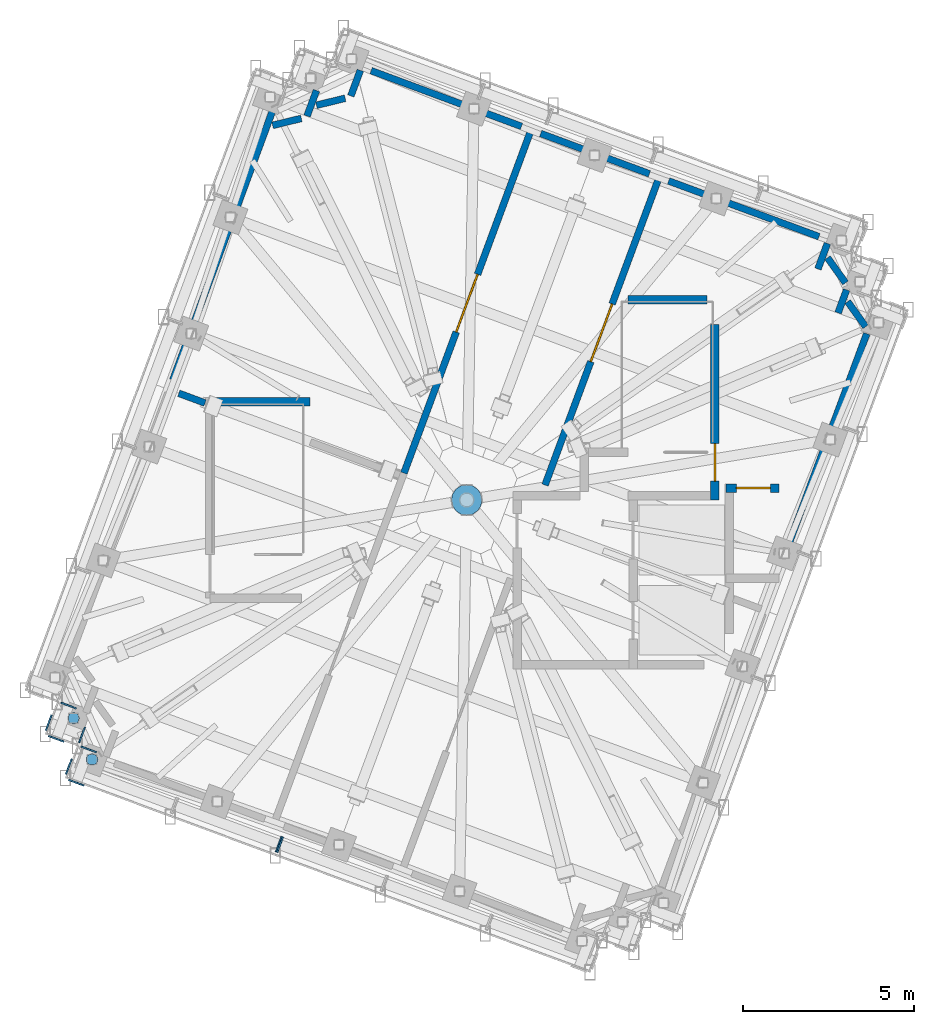
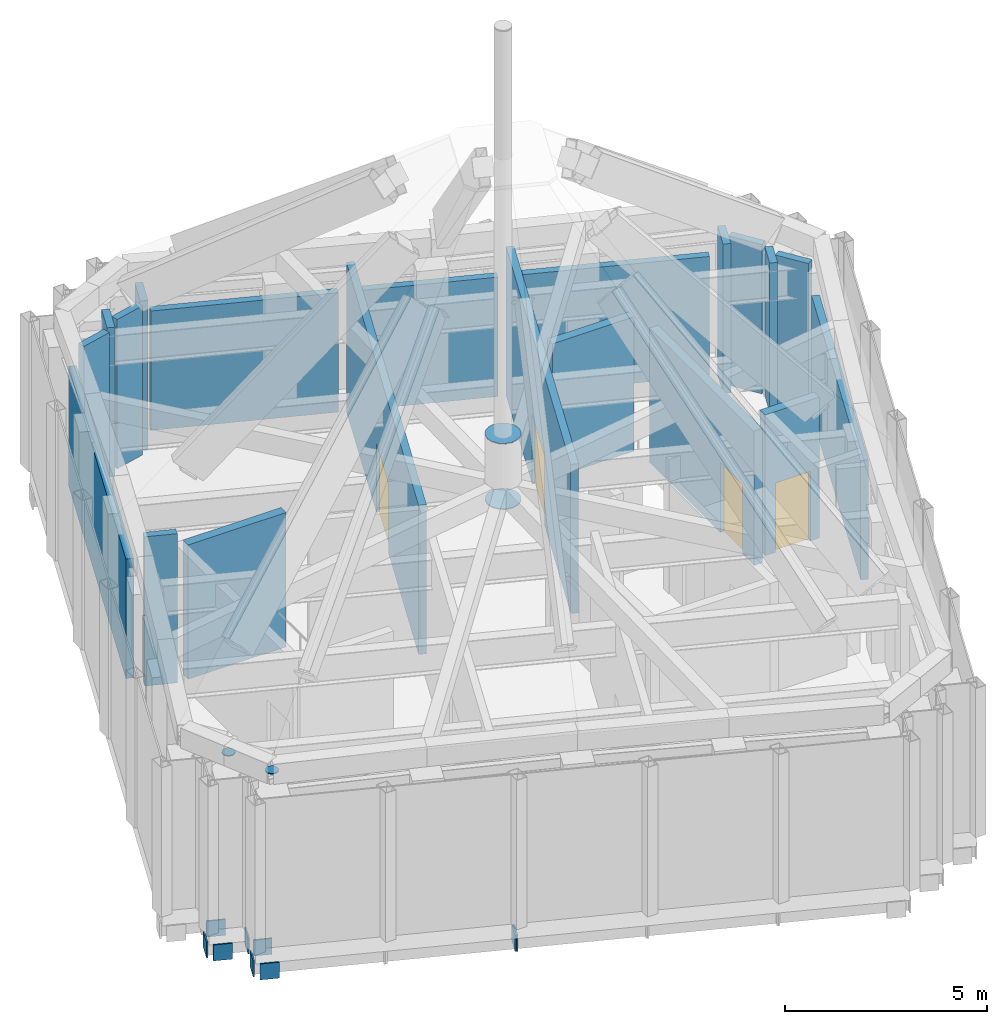
# One storey, part 7 of 14: 20 walls, 13 discrete accessories, 4 doors, 4 openings, 6 elements without a shape of their own.
"""IFC4 building model written with IfcOpenShell, lengths in metres."""

from ifc_helpers import new_model, si_unit, direction, frame, frame_2d, origin, place, context, subcontext, project, spatial, polyline, rectangle, outline, extrude, material, layer, layer_set, type_object, element, fill, aggregate, save


model = new_model("IFC4")

# Units and contexts
model_context = context("Model", 3, precision=1e-05, world=origin(), true_north=direction((0.0, 1.0)))
body_context = subcontext(model_context, "Body", "Model", "MODEL_VIEW")
ifc_project = project(units=[si_unit("LENGTHUNIT", "METRE"), si_unit("AREAUNIT", "SQUARE_METRE"), si_unit("VOLUMEUNIT", "CUBIC_METRE"), si_unit("PLANEANGLEUNIT", "RADIAN"), si_unit("MASSUNIT", "GRAM", prefix="KILO")], contexts=[model_context])

# Site, building, storey
site_placement = place(None, origin())
site = spatial("IfcSite", under=ifc_project, at=site_placement, CompositionType="ELEMENT")
building_placement = place(site_placement, origin())
building = spatial("IfcBuilding", under=site, at=building_placement, Name="Cantera Rosa Tower", CompositionType="ELEMENT")
storey_placement = place(building_placement, frame((0.0, 0.0, 374.199951171875)))
storey = spatial("IfcBuildingStorey", under=building, at=storey_placement, Name="L84", CompositionType="ELEMENT", Elevation=374.199951171875)

# Wall, opening, door
ifc_material_1 = material(Name="Masonry blockwork", Category="masonry")
ifc_layer_1 = layer(ifc_material_1, 0.199951171875)
ifc_layer_set_1 = layer_set([ifc_layer_1], Name="Blockwork partition 200")
wall_type_1 = type_object("IfcWallType", Name="Blockwork partition 200", PredefinedType="PARTITIONING", material=ifc_layer_set_1)
wall_1_placement = place(storey_placement, frame((2.295166015625, 0.4375, 0.0), z_axis=(0.0, 0.0, 1.0), x_axis=(0.347460560495, 0.937694597884, 0.0)))
wall_1 = element("IfcWall", 1, at=wall_1_placement, inside=storey, type_object=wall_type_1, Name="Partition L84-2", PredefinedType="PARTITIONING", context=body_context, shape_type="SweptSolid", body=[
    extrude(rectangle(XDim=9.517333984375, YDim=0.199951171875, at=frame_2d((4.7587890625, 0.0))), origin(), (0.0, 0.0, 1.0), 4.5),
])
opening_1_placement = place(wall_1_placement, frame((3.858642578125, 0.0, 0.0)))
opening_1 = element("IfcOpeningElement", 2, at=opening_1_placement, cuts=wall_1, Name="Opening L84-004", PredefinedType="OPENING", context=body_context, shape_type="SweptSolid", body=[
    extrude(rectangle(XDim=1.800048828125, YDim=2.10009765625, at=frame_2d((0.89990234375, 1.050048828125))), frame((0.0, 0.10986328125, 0.0), z_axis=(0.0, -1.0, 0.0), x_axis=(1.0, 0.0, 0.0)), (0.0, 0.0, 1.0), 0.219970703125),
])
ifc_material_2 = material(Name="Timber", Category="wood")
door_type_1 = type_object("IfcDoorType", Name="Double door 1800x2100", OperationType="NOTDEFINED", PredefinedType="DOOR", material=ifc_material_2)
door_1_placement = place(opening_1_placement, origin())
door_1 = element("IfcDoor", 3, at=door_1_placement, inside=storey, type_object=door_type_1, Name="Door L84-004", OperationType="DOUBLE_DOOR_SINGLE_SWING", OverallHeight=2.10009765625, OverallWidth=1.800048828125, PredefinedType="DOOR", context=body_context, shape_type="SweptSolid", body=[
    extrude(rectangle(XDim=1.800048828125, YDim=2.10009765625, at=frame_2d((0.89990234375, 1.050048828125))), frame((0.0, 0.02490234375, 0.0), z_axis=(0.0, -1.0, 0.0), x_axis=(1.0, 0.0, 0.0)), (0.0, 0.0, 1.0), 0.050048828125),
])
fill(opening_1, door_1)

wall_2_placement = place(storey_placement, frame((-1.840576171875, 0.788818359375, 0.0), z_axis=(0.0, 0.0, 1.0), x_axis=(0.347474504363, 0.937689430898, 0.0)))
wall_2 = element("IfcWall", 4, at=wall_2_placement, inside=storey, type_object=wall_type_1, Name="Partition L84-7", PredefinedType="PARTITIONING", context=body_context, shape_type="SweptSolid", body=[
    extrude(rectangle(XDim=10.625, YDim=0.199951171875, at=frame_2d((5.3125, 0.0))), origin(), (0.0, 0.0, 1.0), 4.5),
])
opening_2_placement = place(wall_2_placement, frame((4.41259765625, 0.0, 0.0)))
opening_2 = element("IfcOpeningElement", 5, at=opening_2_placement, cuts=wall_2, Name="Opening L84-002", PredefinedType="OPENING", context=body_context, shape_type="SweptSolid", body=[
    extrude(rectangle(XDim=1.800048828125, YDim=2.10009765625, at=frame_2d((0.89990234375, 1.050048828125))), frame((0.0, 0.10986328125, 0.0), z_axis=(0.0, -1.0, 0.0), x_axis=(1.0, 0.0, 0.0)), (0.0, 0.0, 1.0), 0.219970703125),
])
door_2_placement = place(opening_2_placement, origin())
door_2 = element("IfcDoor", 6, at=door_2_placement, inside=storey, type_object=door_type_1, Name="Door L84-002", OperationType="DOUBLE_DOOR_SINGLE_SWING", OverallHeight=2.10009765625, OverallWidth=1.800048828125, PredefinedType="DOOR", context=body_context, shape_type="SweptSolid", body=[
    extrude(rectangle(XDim=1.800048828125, YDim=2.10009765625, at=frame_2d((0.89990234375, 1.050048828125))), frame((0.0, 0.02490234375, 0.0), z_axis=(0.0, -1.0, 0.0), x_axis=(1.0, 0.0, 0.0)), (0.0, 0.0, 1.0), 0.050048828125),
])
fill(opening_2, door_2)

# Walls
wall_3_placement = place(storey_placement, frame((-3.396484375, 11.84326171875, 0.0), z_axis=(0.0, 0.0, 1.0), x_axis=(0.34764237862, 0.93762720555, 0.0)))
element("IfcWall", 7, at=wall_3_placement, inside=storey, type_object=wall_type_1, Name="Partition L84-12", PredefinedType="PARTITIONING", context=body_context, shape_type="SweptSolid", body=[
    extrude(rectangle(XDim=0.7998046875, YDim=0.199951171875, at=frame_2d((0.39990234375, 0.0))), origin(), (0.0, 0.0, 1.0), 4.5),
])
wall_4_placement = place(storey_placement, frame((-4.681396484375, 11.2529296875, 0.0), z_axis=(0.0, 0.0, 1.0), x_axis=(0.347274599759, 0.937763484234, 0.0)))
element("IfcWall", 8, at=wall_4_placement, inside=storey, type_object=wall_type_1, Name="Partition L84-16", PredefinedType="PARTITIONING", context=body_context, shape_type="SweptSolid", body=[
    extrude(rectangle(XDim=0.800048828125, YDim=0.199951171875, at=frame_2d((0.39990234375, 0.0))), origin(), (0.0, 0.0, 1.0), 4.5),
])
wall_5_placement = place(storey_placement, frame((-7.669921875, 2.84228515625, 0.0), z_axis=(0.0, 0.0, 1.0), x_axis=(-0.937752350597, 0.347304663011, 0.0)))
element("IfcWall", 9, at=wall_5_placement, inside=storey, type_object=wall_type_1, Name="Partition L84-23", PredefinedType="PARTITIONING", context=body_context, shape_type="SweptSolid", body=[
    extrude(rectangle(XDim=0.8203125, YDim=0.199951171875, at=frame_2d((0.41015625, 0.0))), origin(), (0.0, 0.0, 1.0), 4.5),
])
wall_6_placement = place(storey_placement, frame((11.693115234375, 5.078369140625, 0.0), z_axis=(0.0, 0.0, 1.0), x_axis=(-0.583074383612, 0.812418773279, 0.0)))
element("IfcWall", 10, at=wall_6_placement, inside=storey, type_object=wall_type_1, Name="Partition L84-24", PredefinedType="PARTITIONING", context=body_context, shape_type="SweptSolid", body=[
    extrude(rectangle(XDim=0.90478515625, YDim=0.199951171875, at=frame_2d((0.452392578125, 0.0))), origin(), (0.0, 0.0, 1.0), 4.5),
])
wall_7_placement = place(storey_placement, frame((-4.848876953125, 11.1845703125, 0.0), z_axis=(0.0, 0.0, 1.0), x_axis=(-0.971634312716, -0.236488397925, 0.0)))
element("IfcWall", 11, at=wall_7_placement, inside=storey, type_object=wall_type_1, Name="Partition L84-25", PredefinedType="PARTITIONING", context=body_context, shape_type="SweptSolid", body=[
    extrude(rectangle(XDim=0.865234375, YDim=0.199951171875, at=frame_2d((0.4326171875, 0.0))), origin(), (0.0, 0.0, 1.0), 4.5),
])
wall_8_placement = place(storey_placement, frame((11.10302734375, 6.36328125, 0.0), z_axis=(0.0, 0.0, 1.0), x_axis=(-0.582946591977, 0.812510474334, 0.0)))
element("IfcWall", 12, at=wall_8_placement, inside=storey, type_object=wall_type_1, Name="Partition L84-26", PredefinedType="PARTITIONING", context=body_context, shape_type="SweptSolid", body=[
    extrude(rectangle(XDim=0.905029296875, YDim=0.199951171875, at=frame_2d((0.45263671875, 0.0))), origin(), (0.0, 0.0, 1.0), 4.5),
])
wall_9_placement = place(storey_placement, frame((-3.563720703125, 11.774658203125, 0.0), z_axis=(0.0, 0.0, 1.0), x_axis=(-0.97169912581, -0.236221948389, 0.0)))
element("IfcWall", 13, at=wall_9_placement, inside=storey, type_object=wall_type_1, Name="Partition L84-27", PredefinedType="PARTITIONING", context=body_context, shape_type="SweptSolid", body=[
    extrude(rectangle(XDim=0.864990234375, YDim=0.199951171875, at=frame_2d((0.4326171875, 0.0))), origin(), (0.0, 0.0, 1.0), 4.5),
])
wall_10_placement = place(storey_placement, frame((10.884033203125, 5.48486328125, 0.0), z_axis=(0.0, 0.0, 1.0), x_axis=(0.347590457816, 0.937646454499, 0.0)))
element("IfcWall", 14, at=wall_10_placement, inside=storey, type_object=wall_type_1, Name="Partition L84-31", PredefinedType="PARTITIONING", context=body_context, shape_type="SweptSolid", body=[
    extrude(rectangle(XDim=0.719970703125, YDim=0.199951171875, at=frame_2d((0.35986328125, 0.0))), origin(), (0.0, 0.0, 1.0), 4.5),
])
wall_11_placement = place(storey_placement, frame((10.2939453125, 6.77001953125, 0.0), z_axis=(0.0, 0.0, 1.0), x_axis=(0.34764237862, 0.93762720555, 0.0)))
element("IfcWall", 15, at=wall_11_placement, inside=storey, type_object=wall_type_1, Name="Partition L84-33", PredefinedType="PARTITIONING", context=body_context, shape_type="SweptSolid", body=[
    extrude(rectangle(XDim=0.7998046875, YDim=0.199951171875, at=frame_2d((0.39990234375, 0.0))), origin(), (0.0, 0.0, 1.0), 4.5),
])
ifc_material_3 = material(Name="Masonry blockwork", Category="masonry")
ifc_layer_2 = layer(ifc_material_3, 0.199951171875)
ifc_layer_set_2 = layer_set([ifc_layer_2], Name="Blockwork partition 200 H3600")
wall_type_2 = type_object("IfcWallType", Name="Blockwork partition 200 H3600", PredefinedType="PARTITIONING", material=ifc_layer_set_2)
wall_12_placement = place(storey_placement, frame((10.3251953125, 7.718017578125, 0.0), z_axis=(0.0, 0.0, 1.0), x_axis=(-0.937673545799, 0.347517368644, 0.0)))
element("IfcWall", 16, at=wall_12_placement, inside=storey, type_object=wall_type_2, Name="Partition L84-8", PredefinedType="PARTITIONING", context=body_context, shape_type="SweptSolid", body=[
    extrude(rectangle(XDim=4.699951171875, YDim=0.199951171875, at=frame_2d((2.35009765625, 0.0))), origin(), (0.0, 0.0, 1.0), 3.60009765625),
])
wall_13_placement = place(storey_placement, frame((5.355712890625, 9.559814453125, 0.0), z_axis=(0.0, 0.0, 1.0), x_axis=(-0.93769418124, 0.347461684893, 0.0)))
element("IfcWall", 17, at=wall_13_placement, inside=storey, type_object=wall_type_2, Name="Partition L84-9", PredefinedType="PARTITIONING", context=body_context, shape_type="SweptSolid", body=[
    extrude(rectangle(XDim=3.400146484375, YDim=0.199951171875, at=frame_2d((1.7001953125, 0.0))), origin(), (0.0, 0.0, 1.0), 3.60009765625),
])
wall_14_placement = place(storey_placement, frame((1.604736328125, 10.94970703125, 0.0), z_axis=(0.0, 0.0, 1.0), x_axis=(-0.937690471937, 0.347471695019, 0.0)))
element("IfcWall", 18, at=wall_14_placement, inside=storey, type_object=wall_type_2, Name="Partition L84-10", PredefinedType="PARTITIONING", context=body_context, shape_type="SweptSolid", body=[
    extrude(rectangle(XDim=4.69970703125, YDim=0.199951171875, at=frame_2d((2.349853515625, 0.0))), origin(), (0.0, 0.0, 1.0), 3.60009765625),
])
wall_15_placement = place(storey_placement, frame((-8.6162109375, 3.512939453125, 0.0), z_axis=(0.0, 0.0, 1.0), x_axis=(0.347481405, 0.937686873737, 0.0)))
element("IfcWall", 19, at=wall_15_placement, inside=storey, type_object=wall_type_2, Name="Partition L84-20", PredefinedType="PARTITIONING", context=body_context, shape_type="SweptSolid", body=[
    extrude(rectangle(XDim=8.4248046875, YDim=0.199951171875, at=frame_2d((4.21240234375, 0.0))), origin(), (0.0, 0.0, 1.0), 3.60009765625),
])
wall_16_placement = place(storey_placement, frame((9.219482421875, -1.885009765625, 0.0), z_axis=(0.0, 0.0, 1.0), x_axis=(0.347498548863, 0.937680520507, 0.0)))
element("IfcWall", 20, at=wall_16_placement, inside=storey, type_object=wall_type_2, Name="Partition L84-29", PredefinedType="PARTITIONING", context=body_context, shape_type="SweptSolid", body=[
    extrude(rectangle(XDim=7.208984375, YDim=0.199951171875, at=frame_2d((3.6044921875, 0.0))), origin(), (0.0, 0.0, 1.0), 3.60009765625),
])
ifc_material_4 = material(Name="Concrete C50/60", Category="concrete")
ifc_layer_3 = layer(ifc_material_4, 0.25)
ifc_layer_set_3 = layer_set([ifc_layer_3], Name="STAIR WALL 250 H4050")
wall_type_3 = type_object("IfcWallType", Name="STAIR WALL 250 H4050", PredefinedType="SOLIDWALL", material=ifc_layer_set_3)
wall_17_placement = place(storey_placement, frame((-7.39990234375, 2.875, 0.0), z_axis=(0.0, 0.0, 1.0), x_axis=(1.0, 0.0, 0.0)))
element("IfcWall", 21, at=wall_17_placement, inside=storey, type_object=wall_type_3, Name="STAIR WALL ST-71 L84-2", PredefinedType="SOLIDWALL", context=body_context, shape_type="SweptSolid", body=[
    extrude(rectangle(XDim=2.7998046875, YDim=0.25, at=frame_2d((1.39990234375, 0.0))), origin(), (0.0, 0.0, 1.0), 4.050048828125),
])
wall_18_placement = place(storey_placement, frame((4.72509765625, 5.875, 0.0), z_axis=(0.0, 0.0, 1.0), x_axis=(1.0, 0.0, 0.0)))
element("IfcWall", 22, at=wall_18_placement, inside=storey, type_object=wall_type_3, Name="STAIR WALL ST-72 L84-1", PredefinedType="SOLIDWALL", context=body_context, shape_type="SweptSolid", body=[
    extrude(rectangle(XDim=2.324462890625, YDim=0.25, at=frame_2d((1.162109375, 0.0))), origin(), (0.0, 0.0, 1.0), 4.050048828125),
])

# Wall, opening, door
wall_19_placement = place(storey_placement, frame((7.27490234375, 5.142822265625, 0.0), z_axis=(0.0, 0.0, 1.0), x_axis=(0.0, -1.0, 0.0)))
wall_19 = element("IfcWall", 23, at=wall_19_placement, inside=storey, type_object=wall_type_3, Name="STAIR WALL ST-72 L84-2", PredefinedType="SOLIDWALL", context=body_context, shape_type="SweptSolid", body=[
    extrude(rectangle(XDim=5.142822265625, YDim=0.25, at=frame_2d((2.5712890625, 0.0))), origin(), (0.0, 0.0, 1.0), 4.050048828125),
])
opening_3_placement = place(wall_19_placement, frame((3.492919921875, 0.0, 0.0)))
opening_3 = element("IfcOpeningElement", 24, at=opening_3_placement, cuts=wall_19, Name="Opening L84-ST-72", PredefinedType="OPENING", context=body_context, shape_type="SweptSolid", body=[
    extrude(rectangle(XDim=1.10009765625, YDim=2.10009765625, at=frame_2d((0.550048828125, 1.050048828125))), frame((0.0, 0.135009765625, 0.0), z_axis=(0.0, -1.0, 0.0), x_axis=(1.0, 0.0, 0.0)), (0.0, 0.0, 1.0), 0.27001953125),
])
ifc_material_5 = material(Name="Steel S355J2 (EN 10025-2)", Category="steel")
door_type_2 = type_object("IfcDoorType", Name="STAIR DOOR 1100x2100", OperationType="NOTDEFINED", PredefinedType="DOOR", material=ifc_material_5)
door_3_placement = place(opening_3_placement, origin())
door_3 = element("IfcDoor", 25, at=door_3_placement, inside=storey, type_object=door_type_2, Name="DOOR L84-ST-72", OperationType="NOTDEFINED", OverallHeight=2.10009765625, OverallWidth=1.10009765625, PredefinedType="DOOR", context=body_context, shape_type="SweptSolid", body=[
    extrude(rectangle(XDim=1.10009765625, YDim=2.10009765625, at=frame_2d((0.550048828125, 1.050048828125))), frame((0.0, 0.02490234375, 0.0), z_axis=(0.0, -1.0, 0.0), x_axis=(1.0, 0.0, 0.0)), (0.0, 0.0, 1.0), 0.050048828125),
])
fill(opening_3, door_3)

ifc_material_6 = material(Name="Masonry blockwork", Category="masonry")
ifc_layer_4 = layer(ifc_material_6, 0.25)
ifc_layer_set_4 = layer_set([ifc_layer_4], Name="Fire-rated wall 250 H4250")
wall_type_4 = type_object("IfcWallType", Name="Fire-rated wall 250 H4250", PredefinedType="PARTITIONING", material=ifc_layer_set_4)
wall_20_placement = place(storey_placement, frame((7.60009765625, 0.35009765625, 0.0), z_axis=(0.0, 0.0, 1.0), x_axis=(1.0, 0.0, 0.0)))
wall_20 = element("IfcWall", 26, at=wall_20_placement, inside=storey, type_object=wall_type_4, Name="Fire wall L84-RISER-N", PredefinedType="PARTITIONING", context=body_context, shape_type="SweptSolid", body=[
    extrude(rectangle(XDim=1.5498046875, YDim=0.25, at=frame_2d((0.77490234375, 0.0))), origin(), (0.0, 0.0, 1.0), 4.25),
])
opening_4_placement = place(wall_20_placement, frame((0.300048828125, 0.0, 0.0)))
opening_4 = element("IfcOpeningElement", 27, at=opening_4_placement, cuts=wall_20, Name="Opening L84-RF", PredefinedType="OPENING", context=body_context, shape_type="SweptSolid", body=[
    extrude(rectangle(XDim=1.0, YDim=2.10009765625, at=frame_2d((0.5, 1.050048828125))), frame((0.0, 0.135009765625, 0.0), z_axis=(0.0, -1.0, 0.0), x_axis=(1.0, 0.0, 0.0)), (0.0, 0.0, 1.0), 0.27001953125),
])
ifc_material_7 = material(Name="Steel S355J2 (EN 10025-2)", Category="steel")
door_type_3 = type_object("IfcDoorType", Name="Fire door 1000x2100", OperationType="NOTDEFINED", PredefinedType="DOOR", material=ifc_material_7)
door_4_placement = place(opening_4_placement, origin())
door_4 = element("IfcDoor", 28, at=door_4_placement, inside=storey, type_object=door_type_3, Name="Door L84-RF", OverallHeight=2.10009765625, OverallWidth=1.0, PredefinedType="DOOR", context=body_context, shape_type="SweptSolid", body=[
    extrude(rectangle(XDim=1.0, YDim=2.10009765625, at=frame_2d((0.5, 1.050048828125))), frame((0.0, 0.02490234375, 0.0), z_axis=(0.0, -1.0, 0.0), x_axis=(1.0, 0.0, 0.0)), (0.0, 0.0, 1.0), 0.050048828125),
])
fill(opening_4, door_4)

# Curtain wall, discrete accessories
ifc_material_8 = material(Name="Aluminium frame with clear glass", Category="aluminium")
curtain_wall_type = type_object("IfcCurtainWallType", Name="CW4 CROWN GLAZING", PredefinedType="NOTDEFINED", material=ifc_material_8)
curtain_wall_1_placement = place(storey_placement, origin())
curtain_wall_1 = element("IfcCurtainWall", 29, at=curtain_wall_1_placement, inside=storey, type_object=curtain_wall_type, Name="CW4 L84-16", PredefinedType="NOTDEFINED")
ifc_material_9 = material(Name="Steel S355J2 (EN 10025-2)", Category="steel")
ifc_layer_5 = layer(ifc_material_9, 0.030029296875)
ifc_layer_set_5 = layer_set([ifc_layer_5], Name="NODE PLATE 30")
discrete_accessory_type = type_object("IfcDiscreteAccessoryType", Name="NODE PLATE 30", PredefinedType="ANCHORPLATE", material=ifc_layer_set_5)
discrete_accessory_1_placement = place(storey_placement, frame((-11.888916015625, -5.9228515625, -0.43505859375), z_axis=(0.347330918501, 0.937742626232, 0.0), x_axis=(0.937742626232, -0.347330918501, 0.0)))
discrete_accessory_1 = element("IfcDiscreteAccessory", 30, at=discrete_accessory_1_placement, type_object=discrete_accessory_type, Name="END PLATE TE0", PredefinedType="ANCHORPLATE", context=body_context, shape_type="SweptSolid", body=[
    extrude(outline(polyline([(0.0, 0.0), (0.4800840869406107, 0.0), (0.4800840869406107, 0.47998046875), (0.0, 0.47998046875), (0.0, 0.0)])), origin(), (0.0, 0.0, -1.0), 0.0400390625),
])
discrete_accessory_2_placement = place(storey_placement, frame((-11.814208984375, -7.102294921875, -0.43505859375), z_axis=(-0.347496626235, -0.937681233018, 0.0), x_axis=(-0.937681233018, 0.347496626235, 0.0)))
discrete_accessory_2 = element("IfcDiscreteAccessory", 31, at=discrete_accessory_2_placement, type_object=discrete_accessory_type, Name="END PLATE TE1", PredefinedType="ANCHORPLATE", context=body_context, shape_type="SweptSolid", body=[
    extrude(outline(polyline([(0.0, 0.0), (0.4798551533622547, 0.0), (0.4798551533622547, 0.47998046875), (0.0, 0.47998046875), (0.0, 0.0)])), origin(), (0.0, 0.0, -1.0), 0.0400390625),
])
aggregate(curtain_wall_1, [discrete_accessory_1, discrete_accessory_2])

curtain_wall_2_placement = place(storey_placement, origin())
curtain_wall_2 = element("IfcCurtainWall", 32, at=curtain_wall_2_placement, inside=storey, type_object=curtain_wall_type, Name="CW4 L84-17", PredefinedType="NOTDEFINED")
discrete_accessory_3_placement = place(storey_placement, frame((-12.352783203125, -6.742919921875, -0.43505859375), z_axis=(-0.937742626232, 0.347330918501, 0.0), x_axis=(0.347330918501, 0.937742626232, 0.0)))
discrete_accessory_3 = element("IfcDiscreteAccessory", 33, at=discrete_accessory_3_placement, type_object=discrete_accessory_type, Name="END PLATE TE0", PredefinedType="ANCHORPLATE", context=body_context, shape_type="SweptSolid", body=[
    extrude(outline(polyline([(0.0, 0.0), (0.4800840869406107, 0.0), (0.4800840869406107, 0.47998046875), (0.0, 0.47998046875), (0.0, 0.0)])), origin(), (0.0, 0.0, -1.0), 0.0400390625),
])
discrete_accessory_4_placement = place(storey_placement, frame((-11.17333984375, -6.66796875, -0.43505859375), z_axis=(0.937742626232, -0.347330918501, 0.0), x_axis=(-0.347330918501, -0.937742626232, 0.0)))
discrete_accessory_4 = element("IfcDiscreteAccessory", 34, at=discrete_accessory_4_placement, type_object=discrete_accessory_type, Name="END PLATE TE1", PredefinedType="ANCHORPLATE", context=body_context, shape_type="SweptSolid", body=[
    extrude(outline(polyline([(0.0, 0.0), (0.4800840869406107, 0.0), (0.4800840869406107, 0.47998046875), (0.0, 0.47998046875), (0.0, 0.0)])), origin(), (0.0, 0.0, -1.0), 0.0400390625),
])
aggregate(curtain_wall_2, [discrete_accessory_3, discrete_accessory_4])

curtain_wall_3_placement = place(storey_placement, origin())
curtain_wall_3 = element("IfcCurtainWall", 35, at=curtain_wall_3_placement, inside=storey, type_object=curtain_wall_type, Name="CW4 L84-18", PredefinedType="NOTDEFINED")
discrete_accessory_5_placement = place(storey_placement, frame((-11.298828125, -7.2080078125, -0.43505859375), z_axis=(0.347330918501, 0.937742626232, 0.0), x_axis=(0.937742626232, -0.347330918501, 0.0)))
discrete_accessory_5 = element("IfcDiscreteAccessory", 36, at=discrete_accessory_5_placement, type_object=discrete_accessory_type, Name="END PLATE TE0", PredefinedType="ANCHORPLATE", context=body_context, shape_type="SweptSolid", body=[
    extrude(outline(polyline([(0.0, 0.0), (0.4800840869406107, 0.0), (0.4800840869406107, 0.47998046875), (0.0, 0.47998046875), (0.0, 0.0)])), origin(), (0.0, 0.0, -1.0), 0.0400390625),
])
discrete_accessory_6_placement = place(storey_placement, frame((-11.223876953125, -8.387451171875, -0.43505859375), z_axis=(-0.347330918501, -0.937742626232, 0.0), x_axis=(-0.937742626232, 0.347330918501, 0.0)))
discrete_accessory_6 = element("IfcDiscreteAccessory", 37, at=discrete_accessory_6_placement, type_object=discrete_accessory_type, Name="END PLATE TE1", PredefinedType="ANCHORPLATE", context=body_context, shape_type="SweptSolid", body=[
    extrude(outline(polyline([(0.0, 0.0), (0.4800840869406107, 0.0), (0.4800840869406107, 0.47998046875), (0.0, 0.47998046875), (0.0, 0.0)])), origin(), (0.0, 0.0, -1.0), 0.0400390625),
])
aggregate(curtain_wall_3, [discrete_accessory_5, discrete_accessory_6])

# Curtain wall, discrete accessory
curtain_wall_4_placement = place(storey_placement, origin())
curtain_wall_4 = element("IfcCurtainWall", 38, at=curtain_wall_4_placement, inside=storey, type_object=curtain_wall_type, Name="CW4 L84-19", PredefinedType="NOTDEFINED")
discrete_accessory_7_placement = place(storey_placement, frame((-11.762451171875, -8.028076171875, -0.43505859375), z_axis=(-0.937742626232, 0.347330918501, 0.0), x_axis=(0.347330918501, 0.937742626232, 0.0)))
discrete_accessory_7 = element("IfcDiscreteAccessory", 39, at=discrete_accessory_7_placement, type_object=discrete_accessory_type, Name="END PLATE TE0", PredefinedType="ANCHORPLATE", context=body_context, shape_type="SweptSolid", body=[
    extrude(outline(polyline([(0.0, 0.0), (0.4800840869406107, 0.0), (0.4800840869406107, 0.47998046875), (0.0, 0.47998046875), (0.0, 0.0)])), origin(), (0.0, 0.0, -1.0), 0.0400390625),
])
aggregate(curtain_wall_4, [discrete_accessory_7])

curtain_wall_5_placement = place(storey_placement, origin())
curtain_wall_5 = element("IfcCurtainWall", 40, at=curtain_wall_5_placement, inside=storey, type_object=curtain_wall_type, Name="CW4 L84-20", PredefinedType="NOTDEFINED")
discrete_accessory_8_placement = place(storey_placement, frame((-5.369384765625, -9.88525390625, -0.43505859375), z_axis=(0.93751537431, -0.347943850259, 0.0), x_axis=(-0.347943850259, -0.93751537431, 0.0)))
discrete_accessory_8 = element("IfcDiscreteAccessory", 41, at=discrete_accessory_8_placement, type_object=discrete_accessory_type, Name="END PLATE TE1", PredefinedType="ANCHORPLATE", context=body_context, shape_type="SweptSolid", body=[
    extrude(outline(polyline([(0.0, 0.0), (0.47994004600337425, 0.0), (0.47994004600337425, 0.47998046875), (0.0, 0.47998046875), (0.0, 0.0)])), origin(), (0.0, 0.0, -1.0), 0.0400390625),
])
aggregate(curtain_wall_5, [discrete_accessory_8])

curtain_wall_6_placement = place(storey_placement, origin())
curtain_wall_6 = element("IfcCurtainWall", 42, at=curtain_wall_6_placement, inside=storey, type_object=curtain_wall_type, Name="CW4 L84-21", PredefinedType="NOTDEFINED")
discrete_accessory_9_placement = place(storey_placement, frame((-5.611328125, -10.307373046875, -0.43505859375), z_axis=(-0.937681233018, 0.347496626235, 0.0), x_axis=(0.347496626235, 0.937681233018, 0.0)))
discrete_accessory_9 = element("IfcDiscreteAccessory", 43, at=discrete_accessory_9_placement, type_object=discrete_accessory_type, Name="END PLATE TE0", PredefinedType="ANCHORPLATE", context=body_context, shape_type="SweptSolid", body=[
    extrude(outline(polyline([(0.0, 0.0), (0.4798551533622547, 0.0), (0.4798551533622547, 0.47998046875), (0.0, 0.47998046875), (0.0, 0.0)])), origin(), (0.0, 0.0, -1.0), 0.0400390625),
])
aggregate(curtain_wall_6, [discrete_accessory_9])

# Discrete accessories
discrete_accessory_10_placement = place(storey_placement, frame((0.0, 0.0, 4.78515625)))
element("IfcDiscreteAccessory", 44, at=discrete_accessory_10_placement, inside=storey, type_object=discrete_accessory_type, Name="NODE PLATE 03", PredefinedType="ANCHORPLATE", context=body_context, shape_type="SweptSolid", body=[
    extrude(outline(polyline([(-11.35302734375, -6.398681640625), (-11.365966796875, -6.33349609375), (-11.402587890625, -6.278564453125), (-11.457763671875, -6.24169921875), (-11.52294921875, -6.228759765625), (-11.587890625, -6.24169921875), (-11.64306640625, -6.278564453125), (-11.679931640625, -6.33349609375), (-11.69287109375, -6.398681640625), (-11.679931640625, -6.463623046875), (-11.64306640625, -6.518798828125), (-11.587890625, -6.5556640625), (-11.52294921875, -6.568603515625), (-11.457763671875, -6.5556640625), (-11.402587890625, -6.518798828125), (-11.365966796875, -6.463623046875), (-11.35302734375, -6.398681640625)])), origin(), (0.0, 0.0, 1.0), 0.02978515625),
])
discrete_accessory_11_placement = place(storey_placement, frame((0.0, 0.0, 4.78515625)))
element("IfcDiscreteAccessory", 45, at=discrete_accessory_11_placement, inside=storey, type_object=discrete_accessory_type, Name="NODE PLATE 04", PredefinedType="ANCHORPLATE", context=body_context, shape_type="SweptSolid", body=[
    extrude(outline(polyline([(-10.812255859375, -7.604248046875), (-10.8251953125, -7.5390625), (-10.862060546875, -7.484130859375), (-10.917236328125, -7.447265625), (-10.982177734375, -7.434326171875), (-11.04736328125, -7.447265625), (-11.102294921875, -7.484130859375), (-11.13916015625, -7.5390625), (-11.152099609375, -7.604248046875), (-11.13916015625, -7.669189453125), (-11.102294921875, -7.724365234375), (-11.04736328125, -7.76123046875), (-10.982177734375, -7.774169921875), (-10.917236328125, -7.76123046875), (-10.862060546875, -7.724365234375), (-10.8251953125, -7.669189453125), (-10.812255859375, -7.604248046875)])), origin(), (0.0, 0.0, 1.0), 0.02978515625),
])
for number, where, name in (
    (46, (0.0, 0.0, 4.5), "END PLATE CROWN TIE HUB A"),
    (47, (0.0, 0.0, 6.469970703125), "END PLATE CROWN TIE HUB B"),
):
    element("IfcDiscreteAccessory", number, at=place(storey_placement, frame(where)), inside=storey, type_object=discrete_accessory_type, Name=name, PredefinedType="ANCHORPLATE", context=body_context, shape_type="SweptSolid", body=[
        extrude(outline(polyline([(0.449951171875, 0.0), (0.415771484375, 0.172119140625), (0.318115234375, 0.318115234375), (0.172119140625, 0.415771484375), (0.0, 0.449951171875), (-0.172119140625, 0.415771484375), (-0.318115234375, 0.318115234375), (-0.415771484375, 0.172119140625), (-0.449951171875, 0.0), (-0.415771484375, -0.172119140625), (-0.318115234375, -0.318115234375), (-0.172119140625, -0.415771484375), (0.0, -0.449951171875), (0.172119140625, -0.415771484375), (0.318115234375, -0.318115234375), (0.415771484375, -0.172119140625), (0.449951171875, 0.0)])), origin(), (0.0, 0.0, 1.0), 0.030029296875),
    ])

save(model, "model.ifc")
